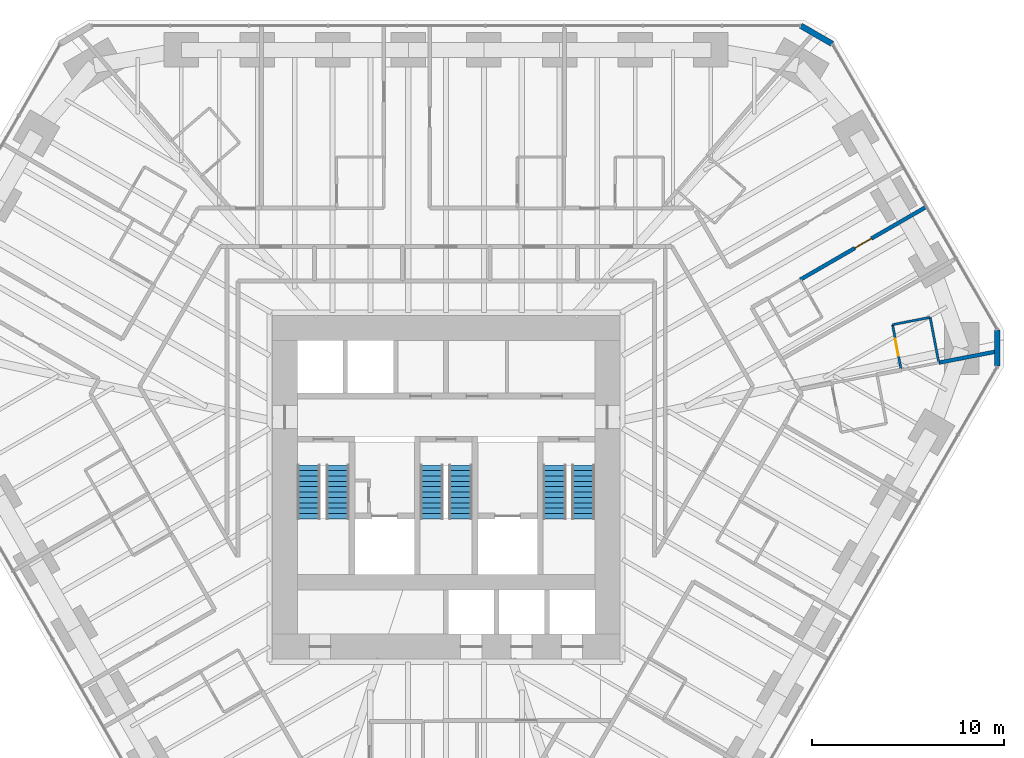
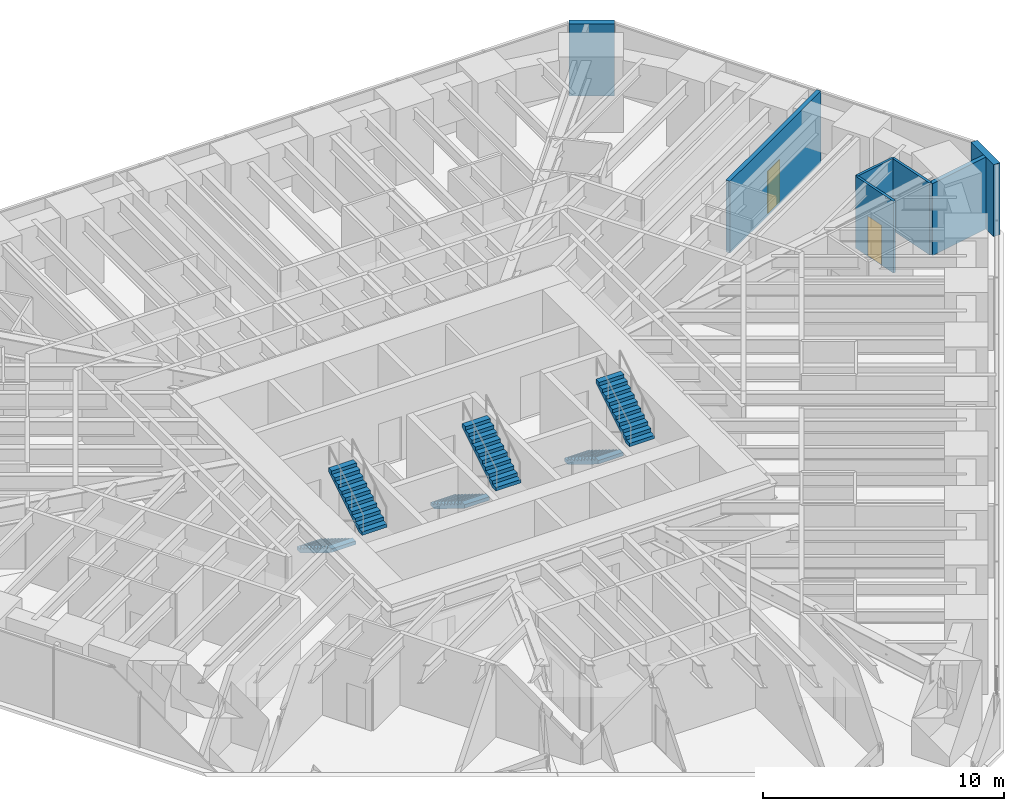
# One storey, part 16 of 17: 7 walls, 6 stair flights, 2 doors, 2 openings, 3 elements without a shape of their own.
"""IFC4 building model written with IfcOpenShell, lengths in metres."""

from ifc_helpers import new_model, si_unit, direction, frame, frame_2d, origin, place, context, subcontext, project, spatial, polyline, rectangle, outline, extrude, material, layer, layer_set, type_object, element, fill, aggregate, save


model = new_model("IFC4")

# Units and contexts
model_context = context("Model", 3, precision=1e-05, world=origin(), true_north=direction((0.0, 1.0)))
body_context = subcontext(model_context, "Body", "Model", "MODEL_VIEW")
ifc_project = project(units=[si_unit("LENGTHUNIT", "METRE"), si_unit("AREAUNIT", "SQUARE_METRE"), si_unit("VOLUMEUNIT", "CUBIC_METRE"), si_unit("PLANEANGLEUNIT", "RADIAN"), si_unit("MASSUNIT", "GRAM", prefix="KILO")], contexts=[model_context])

# Site, building, storey
site_placement = place(None, origin())
site = spatial("IfcSite", under=ifc_project, at=site_placement, CompositionType="ELEMENT")
building_placement = place(site_placement, origin())
building = spatial("IfcBuilding", under=site, at=building_placement, Name="Sandreach Pilgrim Tower", CompositionType="ELEMENT")
storey_placement = place(building_placement, frame((0.0, 0.0, 123.39990234375)))
storey = spatial("IfcBuildingStorey", under=building, at=storey_placement, Name="L30", CompositionType="ELEMENT", Elevation=123.39990234375)

# Wall, opening, door
ifc_material_1 = material(Name="Moisture-resistant gypsum board on steel studs", Category="steel")
ifc_layer_1 = layer(ifc_material_1, 0.1201171875)
ifc_layer_set_1 = layer_set([ifc_layer_1], Name="Bathroom partition 120")
wall_type_1 = type_object("IfcWallType", Name="Bathroom partition 120", PredefinedType="PARTITIONING", material=ifc_layer_set_1)
wall_1_placement = place(storey_placement, frame((23.260009765625, 6.919921875, 0.0), z_axis=(0.0, 0.0, 1.0), x_axis=(0.187294228499, -0.982303859288, 0.0)))
wall_1 = element("IfcWall", 1, at=wall_1_placement, inside=storey, type_object=wall_type_1, Name="Bathroom partition L30-169", PredefinedType="PARTITIONING", context=body_context, shape_type="SweptSolid", body=[
    extrude(rectangle(XDim=2.40234375, YDim=0.1201171875, at=frame_2d((1.201171875, 0.0))), origin(), (0.0, 0.0, 1.0), 3.64013671875),
])
opening_1_placement = place(wall_1_placement, frame((0.75, 0.0, 0.0)))
opening_1 = element("IfcOpeningElement", 2, at=opening_1_placement, cuts=wall_1, Name="Opening D09-07B", PredefinedType="OPENING", context=body_context, shape_type="SweptSolid", body=[
    extrude(rectangle(XDim=0.89990234375, YDim=2.030029296875, at=frame_2d((0.449951171875, 1.01513671875))), frame((0.0, 0.06005859375, 0.0), z_axis=(0.0, -1.0, 0.0), x_axis=(1.0, 0.0, 0.0)), (0.0, 0.0, 1.0), 0.1201171875),
])
ifc_material_2 = material(Name="Timber door, steel frame", Category="steel")
door_type_1 = type_object("IfcDoorType", Name="Bathroom door", OperationType="SINGLE_SWING_LEFT", PredefinedType="DOOR", material=ifc_material_2)
door_1_placement = place(opening_1_placement, origin())
door_1 = element("IfcDoor", 3, at=door_1_placement, inside=storey, type_object=door_type_1, Name="Door 3007B", OperationType="SINGLE_SWING_LEFT", OverallHeight=2.030029296875, OverallWidth=0.89990234375, PredefinedType="DOOR", context=body_context, shape_type="SweptSolid", body=[
    extrude(rectangle(XDim=0.89990234375, YDim=2.030029296875, at=frame_2d((0.449951171875, 1.01513671875))), frame((0.0, 0.02490234375, 0.0), z_axis=(0.0, -1.0, 0.0), x_axis=(1.0, 0.0, 0.0)), (0.0, 0.0, 1.0), 0.050048828125),
])
fill(opening_1, door_1)

# Walls
wall_2_placement = place(storey_placement, frame((25.219970703125, 7.300048828125, 0.0), z_axis=(0.0, 0.0, 1.0), x_axis=(-0.981706922352, -0.190398315658, 0.0)))
element("IfcWall", 4, at=wall_2_placement, inside=storey, type_object=wall_type_1, Name="Bathroom partition L30-173", PredefinedType="PARTITIONING", context=body_context, shape_type="SweptSolid", body=[
    extrude(rectangle(XDim=1.99658203125, YDim=0.1201171875, at=frame_2d((0.998291015625, 0.0))), origin(), (0.0, 0.0, 1.0), 3.64013671875),
])
wall_3_placement = place(storey_placement, frame((25.669921875, 4.93994140625, 0.0), z_axis=(0.0, 0.0, 1.0), x_axis=(-0.187275533444, 0.982307423658, 0.0)))
element("IfcWall", 5, at=wall_3_placement, inside=storey, type_object=wall_type_1, Name="Bathroom partition L30-174", PredefinedType="PARTITIONING", context=body_context, shape_type="SweptSolid", body=[
    extrude(rectangle(XDim=2.402587890625, YDim=0.1201171875, at=frame_2d((1.201171875, 0.0))), origin(), (0.0, 0.0, 1.0), 3.64013671875),
])

# Wall, opening, door
ifc_material_3 = material(Name="Gypsum board on steel studs, two layers each side", Category="steel")
ifc_layer_2 = layer(ifc_material_3, 0.199951171875)
ifc_layer_set_2 = layer_set([ifc_layer_2], Name="Corridor wall 200")
wall_type_2 = type_object("IfcWallType", Name="Corridor wall 200", PredefinedType="PARTITIONING", material=ifc_layer_set_2)
wall_4_placement = place(storey_placement, frame((18.4599609375, 9.27001953125, 0.0), z_axis=(0.0, 0.0, 1.0), x_axis=(0.865880021885, 0.500251724335, 0.0)))
wall_4 = element("IfcWall", 6, at=wall_4_placement, inside=storey, type_object=wall_type_2, Name="Corridor wall L30-162", PredefinedType="PARTITIONING", context=body_context, shape_type="SweptSolid", body=[
    extrude(rectangle(XDim=7.5458984375, YDim=0.199951171875, at=frame_2d((3.77294921875, 0.0))), origin(), (0.0, 0.0, 1.0), 3.64013671875),
])
opening_2_placement = place(wall_4_placement, frame((3.27294921875, 0.0, 0.0)))
opening_2 = element("IfcOpeningElement", 7, at=opening_2_placement, cuts=wall_4, Name="Opening D10-06", PredefinedType="OPENING", context=body_context, shape_type="SweptSolid", body=[
    extrude(rectangle(XDim=1.0, YDim=2.1298828125, at=frame_2d((0.5, 1.06494140625))), frame((0.0, 0.10009765625, 0.0), z_axis=(0.0, -1.0, 0.0), x_axis=(1.0, 0.0, 0.0)), (0.0, 0.0, 1.0), 0.199951171875),
])
ifc_material_4 = material(Name="Steel door and frame", Category="steel")
door_type_2 = type_object("IfcDoorType", Name="Guest room entry door", OperationType="SINGLE_SWING_LEFT", PredefinedType="DOOR", material=ifc_material_4)
door_2_placement = place(opening_2_placement, origin())
door_2 = element("IfcDoor", 8, at=door_2_placement, inside=storey, type_object=door_type_2, Name="Door 3006", OperationType="SINGLE_SWING_LEFT", OverallHeight=2.1298828125, OverallWidth=1.0, PredefinedType="DOOR", context=body_context, shape_type="SweptSolid", body=[
    extrude(rectangle(XDim=1.0, YDim=2.1298828125, at=frame_2d((0.5, 1.06494140625))), frame((0.0, 0.02490234375, 0.0), z_axis=(0.0, -1.0, 0.0), x_axis=(1.0, 0.0, 0.0)), (0.0, 0.0, 1.0), 0.050048828125),
])
fill(opening_2, door_2)

# Walls
ifc_material_5 = material(Name="Double steel stud acoustic wall, gypsum board", Category="steel")
ifc_layer_3 = layer(ifc_material_5, 0.199951171875)
ifc_layer_set_3 = layer_set([ifc_layer_3], Name="Party wall 200")
wall_type_3 = type_object("IfcWallType", Name="Party wall 200", PredefinedType="PARTITIONING", material=ifc_layer_set_3)
wall_5_placement = place(storey_placement, frame((25.669921875, 4.93994140625, 0.0), z_axis=(0.0, 0.0, 1.0), x_axis=(0.981783608641, 0.190002488943, 0.0)))
element("IfcWall", 9, at=wall_5_placement, inside=storey, type_object=wall_type_3, Name="Party wall L30-175", PredefinedType="PARTITIONING", context=body_context, shape_type="SweptSolid", body=[
    extrude(rectangle(XDim=3.12744140625, YDim=0.199951171875, at=frame_2d((1.563720703125, 0.0))), origin(), (0.0, 0.0, 1.0), 3.64013671875),
])
ifc_material_6 = material(Name="Terracotta rainscreen on concrete", Category="masonry")
ifc_layer_4 = layer(ifc_material_6, 0.300048828125)
ifc_layer_set_4 = layer_set([ifc_layer_4], Name="Terracotta chamfer pier")
wall_type_4 = type_object("IfcWallType", Name="Terracotta chamfer pier", PredefinedType="SOLIDWALL", material=ifc_layer_set_4)
wall_6_placement = place(storey_placement, frame((18.4814453125, 22.493896484375, 0.0), z_axis=(0.0, 0.0, 1.0), x_axis=(0.865988793993, -0.500063404658, 0.0)))
element("IfcWall", 10, at=wall_6_placement, inside=storey, type_object=wall_type_4, Name="Chamfer pier L30 N", PredefinedType="SOLIDWALL", context=body_context, shape_type="SweptSolid", body=[
    extrude(rectangle(XDim=1.880126953125, YDim=0.300048828125, at=frame_2d((0.93994140625, 0.0))), origin(), (0.0, 0.0, 1.0), 3.64013671875),
])
wall_7_placement = place(storey_placement, frame((28.720947265625, 6.638427734375, 0.0), z_axis=(0.0, 0.0, 1.0), x_axis=(0.0, -1.0, 0.0)))
element("IfcWall", 11, at=wall_7_placement, inside=storey, type_object=wall_type_4, Name="Chamfer pier L30 NE", PredefinedType="SOLIDWALL", context=body_context, shape_type="SweptSolid", body=[
    extrude(rectangle(XDim=1.8798828125, YDim=0.300048828125, at=frame_2d((0.93994140625, 0.0))), origin(), (0.0, 0.0, 1.0), 3.64013671875),
])

# Stair, stair flights
ifc_material_7 = material(Name="Concrete 8000 psi", Category="concrete")
stair_type = type_object("IfcStairType", Name="Core exit stair", PredefinedType="HALF_TURN_STAIR", material=ifc_material_7)
stair_1_placement = place(storey_placement, origin())
stair_1 = element("IfcStair", 12, at=stair_1_placement, inside=storey, type_object=stair_type, Name="Exit stair ST1 L30", PredefinedType="HALF_TURN_STAIR")
ifc_material_8 = material(Name="Concrete 8000 psi", Category="concrete")
stair_flight_type = type_object("IfcStairFlightType", Name="Core stair flight 1200", PredefinedType="STRAIGHT", material=ifc_material_8)
stair_flight_1_placement = place(storey_placement, frame((-7.14990234375, -0.39990234375, 0.0), z_axis=(0.0, 0.0, 1.0), x_axis=(0.0, -1.0, 0.0)))
stair_flight_1 = element("IfcStairFlight", 13, at=stair_flight_1_placement, type_object=stair_flight_type, Name="ST1 flight 1", NumberOfRisers=11, NumberOfTreads=10, PredefinedType="STRAIGHT", RiserHeight=0.172727273, TreadLength=0.28, context=body_context, shape_type="SweptSolid", body=[
    extrude(outline(polyline([(0.0, 0.0), (0.0, 0.172607421875), (0.280029296875, 0.172607421875), (0.280029296875, 0.345458984375), (0.56005859375, 0.345458984375), (0.56005859375, 0.51806640625), (0.840087890625, 0.51806640625), (0.840087890625, 0.69091796875), (1.1201171875, 0.69091796875), (1.1201171875, 0.863525390625), (1.39990234375, 0.863525390625), (1.39990234375, 1.036376953125), (1.679931640625, 1.036376953125), (1.679931640625, 1.208984375), (1.9599609375, 1.208984375), (1.9599609375, 1.3818359375), (2.239990234375, 1.3818359375), (2.239990234375, 1.554443359375), (2.52001953125, 1.554443359375), (2.52001953125, 1.727294921875), (2.800048828125, 1.727294921875), (2.800048828125, 1.89990234375), (2.800048828125, 1.551025390625), (0.285400390625, 0.0), (0.0, 0.0)])), frame((0.0, 0.60009765625, 0.0), z_axis=(0.0, -1.0, 0.0), x_axis=(1.0, 0.0, 0.0)), (0.0, 0.0, 1.0), 1.199951171875),
])
stair_flight_2_placement = place(storey_placement, frame((-5.64990234375, -3.199951171875, 1.900146484375), z_axis=(0.0, 0.0, 1.0), x_axis=(0.0, 1.0, 0.0)))
stair_flight_2 = element("IfcStairFlight", 14, at=stair_flight_2_placement, type_object=stair_flight_type, Name="ST1 flight 2", NumberOfRisers=11, NumberOfTreads=10, PredefinedType="STRAIGHT", RiserHeight=0.172727273, TreadLength=0.28, context=body_context, shape_type="SweptSolid", body=[
    extrude(outline(polyline([(0.0, 0.0), (0.0, 0.172607421875), (0.280029296875, 0.172607421875), (0.280029296875, 0.345458984375), (0.56005859375, 0.345458984375), (0.56005859375, 0.51806640625), (0.840087890625, 0.51806640625), (0.840087890625, 0.69091796875), (1.1201171875, 0.69091796875), (1.1201171875, 0.863525390625), (1.39990234375, 0.863525390625), (1.39990234375, 1.036376953125), (1.679931640625, 1.036376953125), (1.679931640625, 1.208984375), (1.9599609375, 1.208984375), (1.9599609375, 1.3818359375), (2.239990234375, 1.3818359375), (2.239990234375, 1.554443359375), (2.52001953125, 1.554443359375), (2.52001953125, 1.727294921875), (2.800048828125, 1.727294921875), (2.800048828125, 1.89990234375), (2.800048828125, 1.551025390625), (0.285400390625, 0.0), (0.0, 0.0)])), frame((0.0, 0.60009765625, 0.0), z_axis=(0.0, -1.0, 0.0), x_axis=(1.0, 0.0, 0.0)), (0.0, 0.0, 1.0), 1.199951171875),
])
aggregate(stair_1, [stair_flight_1, stair_flight_2])

stair_2_placement = place(storey_placement, origin())
stair_2 = element("IfcStair", 15, at=stair_2_placement, inside=storey, type_object=stair_type, Name="Exit stair ST3 L30", PredefinedType="HALF_TURN_STAIR")
stair_flight_3_placement = place(storey_placement, frame((-0.75, -0.39990234375, 0.0), z_axis=(0.0, 0.0, 1.0), x_axis=(0.0, -1.0, 0.0)))
stair_flight_3 = element("IfcStairFlight", 16, at=stair_flight_3_placement, type_object=stair_flight_type, Name="ST3 flight 1", NumberOfRisers=11, NumberOfTreads=10, PredefinedType="STRAIGHT", RiserHeight=0.172727273, TreadLength=0.28, context=body_context, shape_type="SweptSolid", body=[
    extrude(outline(polyline([(0.0, 0.0), (0.0, 0.172607421875), (0.280029296875, 0.172607421875), (0.280029296875, 0.345458984375), (0.56005859375, 0.345458984375), (0.56005859375, 0.51806640625), (0.840087890625, 0.51806640625), (0.840087890625, 0.69091796875), (1.1201171875, 0.69091796875), (1.1201171875, 0.863525390625), (1.39990234375, 0.863525390625), (1.39990234375, 1.036376953125), (1.679931640625, 1.036376953125), (1.679931640625, 1.208984375), (1.9599609375, 1.208984375), (1.9599609375, 1.3818359375), (2.239990234375, 1.3818359375), (2.239990234375, 1.554443359375), (2.52001953125, 1.554443359375), (2.52001953125, 1.727294921875), (2.800048828125, 1.727294921875), (2.800048828125, 1.89990234375), (2.800048828125, 1.551025390625), (0.285400390625, 0.0), (0.0, 0.0)])), frame((0.0, 0.60009765625, 0.0), z_axis=(0.0, -1.0, 0.0), x_axis=(1.0, 0.0, 0.0)), (0.0, 0.0, 1.0), 1.199951171875),
])
stair_flight_4_placement = place(storey_placement, frame((0.75, -3.199951171875, 1.900146484375), z_axis=(0.0, 0.0, 1.0), x_axis=(0.0, 1.0, 0.0)))
stair_flight_4 = element("IfcStairFlight", 17, at=stair_flight_4_placement, type_object=stair_flight_type, Name="ST3 flight 2", NumberOfRisers=11, NumberOfTreads=10, PredefinedType="STRAIGHT", RiserHeight=0.172727273, TreadLength=0.28, context=body_context, shape_type="SweptSolid", body=[
    extrude(outline(polyline([(0.0, 0.0), (0.0, 0.172607421875), (0.280029296875, 0.172607421875), (0.280029296875, 0.345458984375), (0.56005859375, 0.345458984375), (0.56005859375, 0.51806640625), (0.840087890625, 0.51806640625), (0.840087890625, 0.69091796875), (1.1201171875, 0.69091796875), (1.1201171875, 0.863525390625), (1.39990234375, 0.863525390625), (1.39990234375, 1.036376953125), (1.679931640625, 1.036376953125), (1.679931640625, 1.208984375), (1.9599609375, 1.208984375), (1.9599609375, 1.3818359375), (2.239990234375, 1.3818359375), (2.239990234375, 1.554443359375), (2.52001953125, 1.554443359375), (2.52001953125, 1.727294921875), (2.800048828125, 1.727294921875), (2.800048828125, 1.89990234375), (2.800048828125, 1.551025390625), (0.285400390625, 0.0), (0.0, 0.0)])), frame((0.0, 0.60009765625, 0.0), z_axis=(0.0, -1.0, 0.0), x_axis=(1.0, 0.0, 0.0)), (0.0, 0.0, 1.0), 1.199951171875),
])
aggregate(stair_2, [stair_flight_3, stair_flight_4])

stair_3_placement = place(storey_placement, origin())
stair_3 = element("IfcStair", 18, at=stair_3_placement, inside=storey, type_object=stair_type, Name="Exit stair ST2 L30", PredefinedType="HALF_TURN_STAIR")
stair_flight_5_placement = place(storey_placement, frame((5.64990234375, -0.39990234375, 0.0), z_axis=(0.0, 0.0, 1.0), x_axis=(0.0, -1.0, 0.0)))
stair_flight_5 = element("IfcStairFlight", 19, at=stair_flight_5_placement, type_object=stair_flight_type, Name="ST2 flight 1", NumberOfRisers=11, NumberOfTreads=10, PredefinedType="STRAIGHT", RiserHeight=0.172727273, TreadLength=0.28, context=body_context, shape_type="SweptSolid", body=[
    extrude(outline(polyline([(0.0, 0.0), (0.0, 0.172607421875), (0.280029296875, 0.172607421875), (0.280029296875, 0.345458984375), (0.56005859375, 0.345458984375), (0.56005859375, 0.51806640625), (0.840087890625, 0.51806640625), (0.840087890625, 0.69091796875), (1.1201171875, 0.69091796875), (1.1201171875, 0.863525390625), (1.39990234375, 0.863525390625), (1.39990234375, 1.036376953125), (1.679931640625, 1.036376953125), (1.679931640625, 1.208984375), (1.9599609375, 1.208984375), (1.9599609375, 1.3818359375), (2.239990234375, 1.3818359375), (2.239990234375, 1.554443359375), (2.52001953125, 1.554443359375), (2.52001953125, 1.727294921875), (2.800048828125, 1.727294921875), (2.800048828125, 1.89990234375), (2.800048828125, 1.551025390625), (0.285400390625, 0.0), (0.0, 0.0)])), frame((0.0, 0.60009765625, 0.0), z_axis=(0.0, -1.0, 0.0), x_axis=(1.0, 0.0, 0.0)), (0.0, 0.0, 1.0), 1.199951171875),
])
stair_flight_6_placement = place(storey_placement, frame((7.14990234375, -3.199951171875, 1.900146484375), z_axis=(0.0, 0.0, 1.0), x_axis=(0.0, 1.0, 0.0)))
stair_flight_6 = element("IfcStairFlight", 20, at=stair_flight_6_placement, type_object=stair_flight_type, Name="ST2 flight 2", NumberOfRisers=11, NumberOfTreads=10, PredefinedType="STRAIGHT", RiserHeight=0.172727273, TreadLength=0.28, context=body_context, shape_type="SweptSolid", body=[
    extrude(outline(polyline([(0.0, 0.0), (0.0, 0.172607421875), (0.280029296875, 0.172607421875), (0.280029296875, 0.345458984375), (0.56005859375, 0.345458984375), (0.56005859375, 0.51806640625), (0.840087890625, 0.51806640625), (0.840087890625, 0.69091796875), (1.1201171875, 0.69091796875), (1.1201171875, 0.863525390625), (1.39990234375, 0.863525390625), (1.39990234375, 1.036376953125), (1.679931640625, 1.036376953125), (1.679931640625, 1.208984375), (1.9599609375, 1.208984375), (1.9599609375, 1.3818359375), (2.239990234375, 1.3818359375), (2.239990234375, 1.554443359375), (2.52001953125, 1.554443359375), (2.52001953125, 1.727294921875), (2.800048828125, 1.727294921875), (2.800048828125, 1.89990234375), (2.800048828125, 1.551025390625), (0.285400390625, 0.0), (0.0, 0.0)])), frame((0.0, 0.60009765625, 0.0), z_axis=(0.0, -1.0, 0.0), x_axis=(1.0, 0.0, 0.0)), (0.0, 0.0, 1.0), 1.199951171875),
])
aggregate(stair_3, [stair_flight_5, stair_flight_6])

save(model, "model.ifc")
